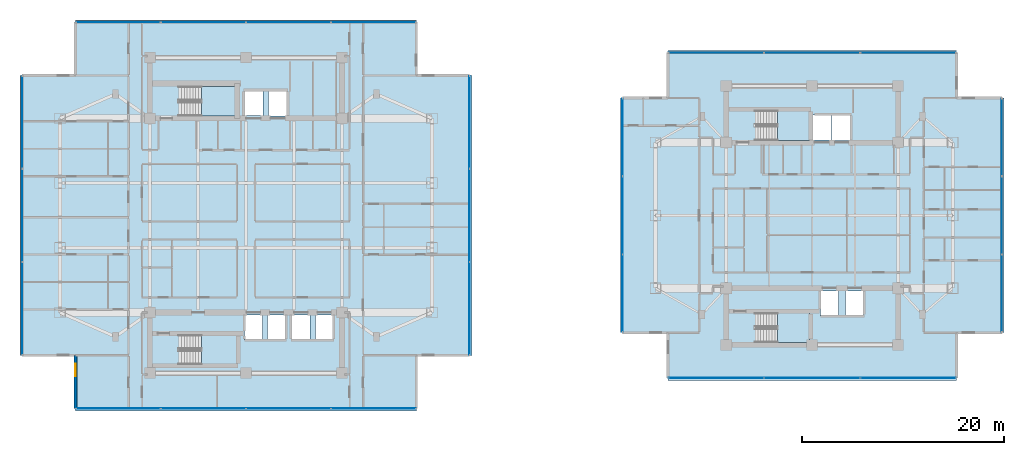
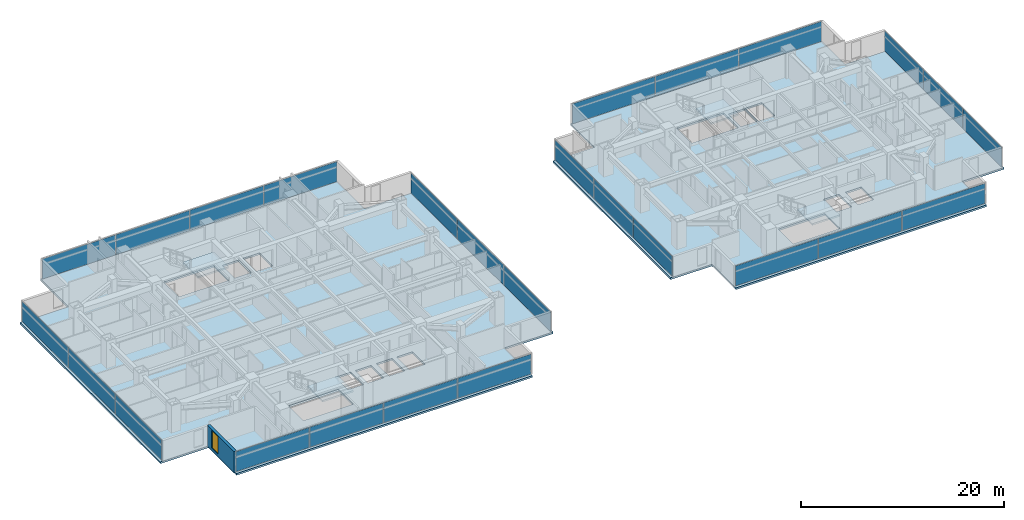
# One storey, part 12 of 24: 26 plates, 6 slabs, 1 wall, 1 window, 1 opening, 12 elements without a shape of their own.
"""IFC4 building model written with IfcOpenShell, lengths in metres."""

from ifc_helpers import new_model, si_unit, direction, frame, frame_2d, origin, origin_2d, place, context, subcontext, project, spatial, polyline, rectangle, outline, extrude, material, layer, layer_set, type_object, element, fill, aggregate, save


model = new_model("IFC4")

# Units and contexts
model_context = context("Model", 3, precision=1e-05, world=origin(), true_north=direction((0.0, 1.0)))
body_context = subcontext(model_context, "Body", "Model", "MODEL_VIEW")
ifc_project = project(units=[si_unit("LENGTHUNIT", "METRE"), si_unit("AREAUNIT", "SQUARE_METRE"), si_unit("VOLUMEUNIT", "CUBIC_METRE"), si_unit("PLANEANGLEUNIT", "RADIAN"), si_unit("MASSUNIT", "GRAM", prefix="KILO")], contexts=[model_context])

# Site, building, storey
site_placement = place(None, origin())
site = spatial("IfcSite", under=ifc_project, at=site_placement, CompositionType="ELEMENT")
building_placement = place(site_placement, origin())
building = spatial("IfcBuilding", under=site, at=building_placement, Name="Mirazonda Arch Towers", CompositionType="ELEMENT")
storey_placement = place(building_placement, frame((0.0, 0.0, 144.5)))
storey = spatial("IfcBuildingStorey", under=building, at=storey_placement, Name="L41", CompositionType="ELEMENT", Elevation=144.5)

# Curtain wall, plates
ifc_material_1 = material(Name="Anodised Aluminium and Low-E Glass", Category="aluminium")
curtain_wall_type = type_object("IfcCurtainWallType", Name="CW-HTL-UNIT", PredefinedType="NOTDEFINED", material=ifc_material_1)
curtain_wall_1_placement = place(storey_placement, origin())
curtain_wall_1 = element("IfcCurtainWall", 1, at=curtain_wall_1_placement, inside=storey, type_object=curtain_wall_type, Name="L41 T1 S Facade CW-L41-T1-S", PredefinedType="NOTDEFINED")
ifc_material_2 = material(Name="Insulated Low-E Solar Glass", Category="glass")
ifc_layer_1 = layer(ifc_material_2, 0.035888671875, Name="PAN-CW-HTL-UNIT")
ifc_layer_set_1 = layer_set([ifc_layer_1], Name="Insulated Low-E Solar Glass")
plate_type = type_object("IfcPlateType", Name="PAN-CW-HTL-UNIT", PredefinedType="CURTAIN_PANEL", material=ifc_layer_set_1)
plate_1_placement = place(storey_placement, frame((33.11865234375, 8.89599609375, 0.0751953125), z_axis=(0.0, 0.0, 1.0), x_axis=(-1.0, 0.0, 0.0)))
plate_1 = element("IfcPlate", 2, at=plate_1_placement, type_object=plate_type, Name="CW-112 panel 1.1", PredefinedType="CURTAIN_PANEL", context=body_context, shape_type="SweptSolid", body=[
    extrude(rectangle(XDim=8.3125, YDim=0.035888671875, at=origin_2d()), origin(), (0.0, 0.0, 1.0), 2.409912109375),
])
plate_2_placement = place(storey_placement, frame((24.71240234375, 8.89599609375, 0.0751953125), z_axis=(0.0, 0.0, 1.0), x_axis=(-1.0, 0.0, 0.0)))
plate_2 = element("IfcPlate", 3, at=plate_2_placement, type_object=plate_type, Name="CW-112 panel 2.1", PredefinedType="CURTAIN_PANEL", context=body_context, shape_type="SweptSolid", body=[
    extrude(rectangle(XDim=8.35009765625, YDim=0.035888671875, at=origin_2d()), origin(), (0.0, 0.0, 1.0), 2.409912109375),
])
plate_3_placement = place(storey_placement, frame((16.28759765625, 8.89599609375, 0.0751953125), z_axis=(0.0, 0.0, 1.0), x_axis=(-1.0, 0.0, 0.0)))
plate_3 = element("IfcPlate", 4, at=plate_3_placement, type_object=plate_type, Name="CW-112 panel 3.1", PredefinedType="CURTAIN_PANEL", context=body_context, shape_type="SweptSolid", body=[
    extrude(rectangle(XDim=8.35009765625, YDim=0.035888671875, at=origin_2d()), origin(), (0.0, 0.0, 1.0), 2.409912109375),
])
plate_4_placement = place(storey_placement, frame((7.88134765625, 8.89599609375, 0.0751953125), z_axis=(0.0, 0.0, 1.0), x_axis=(-1.0, 0.0, 0.0)))
plate_4 = element("IfcPlate", 5, at=plate_4_placement, type_object=plate_type, Name="CW-112 panel 4.1", PredefinedType="CURTAIN_PANEL", context=body_context, shape_type="SweptSolid", body=[
    extrude(rectangle(XDim=8.3125, YDim=0.035888671875, at=origin_2d()), origin(), (0.0, 0.0, 1.0), 2.409912109375),
])
aggregate(curtain_wall_1, [plate_1, plate_2, plate_3, plate_4])

curtain_wall_2_placement = place(storey_placement, origin())
curtain_wall_2 = element("IfcCurtainWall", 6, at=curtain_wall_2_placement, inside=storey, type_object=curtain_wall_type, Name="L41 T1 E Facade CW-L41-T1-E", PredefinedType="NOTDEFINED")
plate_5_placement = place(storey_placement, frame((42.6201171875, 18.796142578125, 0.0751953125), z_axis=(0.0, 0.0, 1.0), x_axis=(0.0, 1.0, 0.0)))
plate_5 = element("IfcPlate", 7, at=plate_5_placement, type_object=plate_type, Name="CW-112 panel 1.1", PredefinedType="CURTAIN_PANEL", context=body_context, shape_type="SweptSolid", body=[
    extrude(rectangle(XDim=9.110107421875, YDim=0.035888671875, at=origin_2d()), origin(), (0.0, 0.0, 1.0), 2.409912109375),
])
plate_6_placement = place(storey_placement, frame((42.6201171875, 28.0, 0.0751953125), z_axis=(0.0, 0.0, 1.0), x_axis=(0.0, 1.0, 0.0)))
plate_6 = element("IfcPlate", 8, at=plate_6_placement, type_object=plate_type, Name="CW-112 panel 2.1", PredefinedType="CURTAIN_PANEL", context=body_context, shape_type="SweptSolid", body=[
    extrude(rectangle(XDim=9.147705078125, YDim=0.035888671875, at=origin_2d()), origin(), (0.0, 0.0, 1.0), 2.409912109375),
])
plate_7_placement = place(storey_placement, frame((42.6201171875, 37.203857421875, 0.0751953125), z_axis=(0.0, 0.0, 1.0), x_axis=(0.0, 1.0, 0.0)))
plate_7 = element("IfcPlate", 9, at=plate_7_placement, type_object=plate_type, Name="CW-112 panel 3.1", PredefinedType="CURTAIN_PANEL", context=body_context, shape_type="SweptSolid", body=[
    extrude(rectangle(XDim=9.110107421875, YDim=0.035888671875, at=origin_2d()), origin(), (0.0, 0.0, 1.0), 2.409912109375),
])
aggregate(curtain_wall_2, [plate_5, plate_6, plate_7])

curtain_wall_3_placement = place(storey_placement, origin())
curtain_wall_3 = element("IfcCurtainWall", 10, at=curtain_wall_3_placement, inside=storey, type_object=curtain_wall_type, Name="L41 T1 N Facade CW-L41-T1-N", PredefinedType="NOTDEFINED")
plate_8_placement = place(storey_placement, frame((7.88134765625, 47.10400390625, 0.0751953125), z_axis=(0.0, 0.0, 1.0), x_axis=(1.0, 0.0, 0.0)))
plate_8 = element("IfcPlate", 11, at=plate_8_placement, type_object=plate_type, Name="CW-112 panel 1.1", PredefinedType="CURTAIN_PANEL", context=body_context, shape_type="SweptSolid", body=[
    extrude(rectangle(XDim=8.3125, YDim=0.035888671875, at=origin_2d()), origin(), (0.0, 0.0, 1.0), 2.409912109375),
])
plate_9_placement = place(storey_placement, frame((16.28759765625, 47.10400390625, 0.0751953125), z_axis=(0.0, 0.0, 1.0), x_axis=(1.0, 0.0, 0.0)))
plate_9 = element("IfcPlate", 12, at=plate_9_placement, type_object=plate_type, Name="CW-112 panel 2.1", PredefinedType="CURTAIN_PANEL", context=body_context, shape_type="SweptSolid", body=[
    extrude(rectangle(XDim=8.35009765625, YDim=0.035888671875, at=origin_2d()), origin(), (0.0, 0.0, 1.0), 2.409912109375),
])
plate_10_placement = place(storey_placement, frame((24.71240234375, 47.10400390625, 0.0751953125), z_axis=(0.0, 0.0, 1.0), x_axis=(1.0, 0.0, 0.0)))
plate_10 = element("IfcPlate", 13, at=plate_10_placement, type_object=plate_type, Name="CW-112 panel 3.1", PredefinedType="CURTAIN_PANEL", context=body_context, shape_type="SweptSolid", body=[
    extrude(rectangle(XDim=8.35009765625, YDim=0.035888671875, at=origin_2d()), origin(), (0.0, 0.0, 1.0), 2.409912109375),
])
plate_11_placement = place(storey_placement, frame((33.11865234375, 47.10400390625, 0.0751953125), z_axis=(0.0, 0.0, 1.0), x_axis=(1.0, 0.0, 0.0)))
plate_11 = element("IfcPlate", 14, at=plate_11_placement, type_object=plate_type, Name="CW-112 panel 4.1", PredefinedType="CURTAIN_PANEL", context=body_context, shape_type="SweptSolid", body=[
    extrude(rectangle(XDim=8.3125, YDim=0.035888671875, at=origin_2d()), origin(), (0.0, 0.0, 1.0), 2.409912109375),
])
aggregate(curtain_wall_3, [plate_8, plate_9, plate_10, plate_11])

curtain_wall_4_placement = place(storey_placement, origin())
curtain_wall_4 = element("IfcCurtainWall", 15, at=curtain_wall_4_placement, inside=storey, type_object=curtain_wall_type, Name="L41 T1 W Facade CW-L41-T1-W", PredefinedType="NOTDEFINED")
plate_12_placement = place(storey_placement, frame((-1.6201171875, 37.203857421875, 0.0751953125), z_axis=(0.0, 0.0, 1.0), x_axis=(0.0, -1.0, 0.0)))
plate_12 = element("IfcPlate", 16, at=plate_12_placement, type_object=plate_type, Name="CW-112 panel 1.1", PredefinedType="CURTAIN_PANEL", context=body_context, shape_type="SweptSolid", body=[
    extrude(rectangle(XDim=9.110107421875, YDim=0.035888671875, at=origin_2d()), origin(), (0.0, 0.0, 1.0), 2.409912109375),
])
plate_13_placement = place(storey_placement, frame((-1.6201171875, 28.0, 0.0751953125), z_axis=(0.0, 0.0, 1.0), x_axis=(0.0, -1.0, 0.0)))
plate_13 = element("IfcPlate", 17, at=plate_13_placement, type_object=plate_type, Name="CW-112 panel 2.1", PredefinedType="CURTAIN_PANEL", context=body_context, shape_type="SweptSolid", body=[
    extrude(rectangle(XDim=9.147705078125, YDim=0.035888671875, at=origin_2d()), origin(), (0.0, 0.0, 1.0), 2.409912109375),
])
plate_14_placement = place(storey_placement, frame((-1.6201171875, 18.796142578125, 0.0751953125), z_axis=(0.0, 0.0, 1.0), x_axis=(0.0, -1.0, 0.0)))
plate_14 = element("IfcPlate", 18, at=plate_14_placement, type_object=plate_type, Name="CW-112 panel 3.1", PredefinedType="CURTAIN_PANEL", context=body_context, shape_type="SweptSolid", body=[
    extrude(rectangle(XDim=9.110107421875, YDim=0.035888671875, at=origin_2d()), origin(), (0.0, 0.0, 1.0), 2.409912109375),
])
aggregate(curtain_wall_4, [plate_12, plate_13, plate_14])

curtain_wall_5_placement = place(storey_placement, origin())
curtain_wall_5 = element("IfcCurtainWall", 19, at=curtain_wall_5_placement, inside=storey, type_object=curtain_wall_type, Name="L41 T2 S Facade CW-L41-T2-S", PredefinedType="NOTDEFINED")
plate_15_placement = place(storey_placement, frame((85.989501953125, 11.91455078125, 0.0751953125), z_axis=(0.0, 0.0, 1.0), x_axis=(-1.0, 0.0, 0.0)))
plate_15 = element("IfcPlate", 20, at=plate_15_placement, type_object=plate_type, Name="CW-112 panel 1.1", PredefinedType="CURTAIN_PANEL", context=body_context, shape_type="SweptSolid", body=[
    extrude(rectangle(XDim=9.395751953125, YDim=0.035888671875, at=origin_2d()), origin(), (0.0, 0.0, 1.0), 2.409912109375),
])
plate_16_placement = place(storey_placement, frame((76.5, 11.91455078125, 0.0751953125), z_axis=(0.0, 0.0, 1.0), x_axis=(-1.0, 0.0, 0.0)))
plate_16 = element("IfcPlate", 21, at=plate_16_placement, type_object=plate_type, Name="CW-112 panel 2.1", PredefinedType="CURTAIN_PANEL", context=body_context, shape_type="SweptSolid", body=[
    extrude(rectangle(XDim=9.433349609375, YDim=0.035888671875, at=origin_2d()), origin(), (0.0, 0.0, 1.0), 2.409912109375),
])
plate_17_placement = place(storey_placement, frame((67.010498046875, 11.91455078125, 0.0751953125), z_axis=(0.0, 0.0, 1.0), x_axis=(-1.0, 0.0, 0.0)))
plate_17 = element("IfcPlate", 22, at=plate_17_placement, type_object=plate_type, Name="CW-112 panel 3.1", PredefinedType="CURTAIN_PANEL", context=body_context, shape_type="SweptSolid", body=[
    extrude(rectangle(XDim=9.395751953125, YDim=0.035888671875, at=origin_2d()), origin(), (0.0, 0.0, 1.0), 2.409912109375),
])
aggregate(curtain_wall_5, [plate_15, plate_16, plate_17])

curtain_wall_6_placement = place(storey_placement, origin())
curtain_wall_6 = element("IfcCurtainWall", 23, at=curtain_wall_6_placement, inside=storey, type_object=curtain_wall_type, Name="L41 T2 E Facade CW-L41-T2-E", PredefinedType="NOTDEFINED")
plate_18_placement = place(storey_placement, frame((95.2490234375, 20.2861328125, 0.0751953125), z_axis=(0.0, 0.0, 1.0), x_axis=(0.0, 1.0, 0.0)))
plate_18 = element("IfcPlate", 24, at=plate_18_placement, type_object=plate_type, Name="CW-112 panel 1.1", PredefinedType="CURTAIN_PANEL", context=body_context, shape_type="SweptSolid", body=[
    extrude(rectangle(XDim=7.6201171875, YDim=0.035888671875, at=origin_2d()), origin(), (0.0, 0.0, 1.0), 2.409912109375),
])
plate_19_placement = place(storey_placement, frame((95.2490234375, 28.0, 0.0751953125), z_axis=(0.0, 0.0, 1.0), x_axis=(0.0, 1.0, 0.0)))
plate_19 = element("IfcPlate", 25, at=plate_19_placement, type_object=plate_type, Name="CW-112 panel 2.1", PredefinedType="CURTAIN_PANEL", context=body_context, shape_type="SweptSolid", body=[
    extrude(rectangle(XDim=7.65771484375, YDim=0.035888671875, at=origin_2d()), origin(), (0.0, 0.0, 1.0), 2.409912109375),
])
plate_20_placement = place(storey_placement, frame((95.2490234375, 35.7138671875, 0.0751953125), z_axis=(0.0, 0.0, 1.0), x_axis=(0.0, 1.0, 0.0)))
plate_20 = element("IfcPlate", 26, at=plate_20_placement, type_object=plate_type, Name="CW-112 panel 3.1", PredefinedType="CURTAIN_PANEL", context=body_context, shape_type="SweptSolid", body=[
    extrude(rectangle(XDim=7.6201171875, YDim=0.035888671875, at=origin_2d()), origin(), (0.0, 0.0, 1.0), 2.409912109375),
])
aggregate(curtain_wall_6, [plate_18, plate_19, plate_20])

curtain_wall_7_placement = place(storey_placement, origin())
curtain_wall_7 = element("IfcCurtainWall", 27, at=curtain_wall_7_placement, inside=storey, type_object=curtain_wall_type, Name="L41 T2 N Facade CW-L41-T2-N", PredefinedType="NOTDEFINED")
plate_21_placement = place(storey_placement, frame((67.010498046875, 44.08544921875, 0.0751953125), z_axis=(0.0, 0.0, 1.0), x_axis=(1.0, 0.0, 0.0)))
plate_21 = element("IfcPlate", 28, at=plate_21_placement, type_object=plate_type, Name="CW-112 panel 1.1", PredefinedType="CURTAIN_PANEL", context=body_context, shape_type="SweptSolid", body=[
    extrude(rectangle(XDim=9.395751953125, YDim=0.035888671875, at=origin_2d()), origin(), (0.0, 0.0, 1.0), 2.409912109375),
])
plate_22_placement = place(storey_placement, frame((76.5, 44.08544921875, 0.0751953125), z_axis=(0.0, 0.0, 1.0), x_axis=(1.0, 0.0, 0.0)))
plate_22 = element("IfcPlate", 29, at=plate_22_placement, type_object=plate_type, Name="CW-112 panel 2.1", PredefinedType="CURTAIN_PANEL", context=body_context, shape_type="SweptSolid", body=[
    extrude(rectangle(XDim=9.433349609375, YDim=0.035888671875, at=origin_2d()), origin(), (0.0, 0.0, 1.0), 2.409912109375),
])
plate_23_placement = place(storey_placement, frame((85.989501953125, 44.08544921875, 0.0751953125), z_axis=(0.0, 0.0, 1.0), x_axis=(1.0, 0.0, 0.0)))
plate_23 = element("IfcPlate", 30, at=plate_23_placement, type_object=plate_type, Name="CW-112 panel 3.1", PredefinedType="CURTAIN_PANEL", context=body_context, shape_type="SweptSolid", body=[
    extrude(rectangle(XDim=9.395751953125, YDim=0.035888671875, at=origin_2d()), origin(), (0.0, 0.0, 1.0), 2.409912109375),
])
aggregate(curtain_wall_7, [plate_21, plate_22, plate_23])

curtain_wall_8_placement = place(storey_placement, origin())
curtain_wall_8 = element("IfcCurtainWall", 31, at=curtain_wall_8_placement, inside=storey, type_object=curtain_wall_type, Name="L41 T2 W Facade CW-L41-T2-W", PredefinedType="NOTDEFINED")
plate_24_placement = place(storey_placement, frame((57.7509765625, 35.7138671875, 0.0751953125), z_axis=(0.0, 0.0, 1.0), x_axis=(0.0, -1.0, 0.0)))
plate_24 = element("IfcPlate", 32, at=plate_24_placement, type_object=plate_type, Name="CW-112 panel 1.1", PredefinedType="CURTAIN_PANEL", context=body_context, shape_type="SweptSolid", body=[
    extrude(rectangle(XDim=7.6201171875, YDim=0.035888671875, at=origin_2d()), origin(), (0.0, 0.0, 1.0), 2.409912109375),
])
plate_25_placement = place(storey_placement, frame((57.7509765625, 28.0, 0.0751953125), z_axis=(0.0, 0.0, 1.0), x_axis=(0.0, -1.0, 0.0)))
plate_25 = element("IfcPlate", 33, at=plate_25_placement, type_object=plate_type, Name="CW-112 panel 2.1", PredefinedType="CURTAIN_PANEL", context=body_context, shape_type="SweptSolid", body=[
    extrude(rectangle(XDim=7.65771484375, YDim=0.035888671875, at=origin_2d()), origin(), (0.0, 0.0, 1.0), 2.409912109375),
])
plate_26_placement = place(storey_placement, frame((57.7509765625, 20.2861328125, 0.0751953125), z_axis=(0.0, 0.0, 1.0), x_axis=(0.0, -1.0, 0.0)))
plate_26 = element("IfcPlate", 34, at=plate_26_placement, type_object=plate_type, Name="CW-112 panel 3.1", PredefinedType="CURTAIN_PANEL", context=body_context, shape_type="SweptSolid", body=[
    extrude(rectangle(XDim=7.6201171875, YDim=0.035888671875, at=origin_2d()), origin(), (0.0, 0.0, 1.0), 2.409912109375),
])
aggregate(curtain_wall_8, [plate_24, plate_25, plate_26])

# Stair, slab
ifc_material_3 = material(Name="Concrete C40/50", Category="concrete")
stair_type = type_object("IfcStairType", Name="STAIR-CORE-1400", PredefinedType="HALF_TURN_STAIR", material=ifc_material_3)
stair_1_placement = place(storey_placement, origin())
stair_1 = element("IfcStair", 35, at=stair_1_placement, inside=storey, type_object=stair_type, Name="L41 Protected Exit Stair ST-T1N", PredefinedType="HALF_TURN_STAIR")
ifc_layer_2 = layer(ifc_material_3, 0.18994140625, Name="SLAB-LANDING-190")
ifc_layer_set_2 = layer_set([ifc_layer_2], Name="Concrete C40/50")
slab_type_1 = type_object("IfcSlabType", Name="SLAB-LANDING-190", PredefinedType="LANDING", material=ifc_layer_set_2)
slab_1_placement = place(storey_placement, frame((0.0, 0.0, 1.449951171875)))
slab_1 = element("IfcSlab", 36, at=slab_1_placement, type_object=slab_type_1, Name="ST-T1N landing 1", PredefinedType="LANDING", context=body_context, shape_type="SweptSolid", body=[
    extrude(outline(polyline([(16.090087890625, 37.820068359375), (19.60009765625, 37.820068359375), (19.60009765625, 40.760009765625), (16.090087890625, 40.760009765625), (16.090087890625, 37.820068359375)])), origin(), (0.0, 0.0, 1.0), 0.199951171875),
])
aggregate(stair_1, [slab_1])

stair_2_placement = place(storey_placement, origin())
stair_2 = element("IfcStair", 37, at=stair_2_placement, inside=storey, type_object=stair_type, Name="L41 Protected Exit Stair ST-T1S", PredefinedType="HALF_TURN_STAIR")
slab_2_placement = place(storey_placement, frame((0.0, 0.0, 1.449951171875)))
slab_2 = element("IfcSlab", 38, at=slab_2_placement, type_object=slab_type_1, Name="ST-T1S landing 1", PredefinedType="LANDING", context=body_context, shape_type="SweptSolid", body=[
    extrude(outline(polyline([(16.090087890625, 13.25), (19.60009765625, 13.25), (19.60009765625, 16.18994140625), (16.090087890625, 16.18994140625), (16.090087890625, 13.25)])), origin(), (0.0, 0.0, 1.0), 0.199951171875),
])
aggregate(stair_2, [slab_2])

stair_3_placement = place(storey_placement, origin())
stair_3 = element("IfcStair", 39, at=stair_3_placement, inside=storey, type_object=stair_type, Name="L41 Protected Exit Stair ST-T2N", PredefinedType="HALF_TURN_STAIR")
slab_3_placement = place(storey_placement, frame((0.0, 0.0, 1.449951171875)))
slab_3 = element("IfcSlab", 40, at=slab_3_placement, type_object=slab_type_1, Name="ST-T2N landing 1", PredefinedType="LANDING", context=body_context, shape_type="SweptSolid", body=[
    extrude(outline(polyline([(73.090087890625, 35.419921875), (76.22998046875, 35.419921875), (76.22998046875, 38.360107421875), (73.090087890625, 38.360107421875), (73.090087890625, 35.419921875)])), origin(), (0.0, 0.0, 1.0), 0.199951171875),
])
aggregate(stair_3, [slab_3])

stair_4_placement = place(storey_placement, origin())
stair_4 = element("IfcStair", 41, at=stair_4_placement, inside=storey, type_object=stair_type, Name="L41 Protected Exit Stair ST-T2S", PredefinedType="HALF_TURN_STAIR")
slab_4_placement = place(storey_placement, frame((0.0, 0.0, 1.449951171875)))
slab_4 = element("IfcSlab", 42, at=slab_4_placement, type_object=slab_type_1, Name="ST-T2S landing 1", PredefinedType="LANDING", context=body_context, shape_type="SweptSolid", body=[
    extrude(outline(polyline([(73.090087890625, 15.419921875), (76.22998046875, 15.419921875), (76.22998046875, 18.360107421875), (73.090087890625, 18.360107421875), (73.090087890625, 15.419921875)])), origin(), (0.0, 0.0, 1.0), 0.199951171875),
])
aggregate(stair_4, [slab_4])

# Slabs
ifc_layer_3 = layer(ifc_material_3, 0.219970703125, Name="SLAB-TWR-220")
ifc_layer_set_3 = layer_set([ifc_layer_3], Name="Concrete C40/50")
slab_type_2 = type_object("IfcSlabType", Name="SLAB-TWR-220", PredefinedType="FLOOR", material=ifc_layer_set_3)
slab_5_placement = place(storey_placement, frame((0.0, 0.0, -0.219970703125)))
element("IfcSlab", 43, at=slab_5_placement, inside=storey, type_object=slab_type_2, Name="L41 Tower 1 Floor Slab", PredefinedType="FLOOR", context=body_context, shape_type="SweptSolid", body=[
    extrude(outline(polyline([(3.64990234375, 8.676025390625), (37.35009765625, 8.676025390625), (37.35009765625, 14.166015625), (42.840087890625, 14.166015625), (42.840087890625, 41.833984375), (37.35009765625, 41.833984375), (37.35009765625, 47.323974609375), (3.64990234375, 47.323974609375), (3.64990234375, 41.833984375), (-1.840087890625, 41.833984375), (-1.840087890625, 14.166015625), (3.64990234375, 14.166015625), (3.64990234375, 8.676025390625)]), holes=[polyline([(27.360107421875, 18.139892578125), (29.139892578125, 18.139892578125), (29.139892578125, 15.659912109375), (27.360107421875, 15.659912109375), (27.360107421875, 18.139892578125)]), polyline([(25.06005859375, 18.139892578125), (26.840087890625, 18.139892578125), (26.840087890625, 15.659912109375), (25.06005859375, 15.659912109375), (25.06005859375, 18.139892578125)]), polyline([(22.7099609375, 40.389892578125), (24.590087890625, 40.389892578125), (24.590087890625, 37.81005859375), (22.7099609375, 37.81005859375), (22.7099609375, 40.389892578125)]), polyline([(22.659912109375, 18.139892578125), (24.43994140625, 18.139892578125), (24.43994140625, 15.659912109375), (22.659912109375, 15.659912109375), (22.659912109375, 18.139892578125)]), polyline([(20.31005859375, 40.340087890625), (22.18994140625, 40.340087890625), (22.18994140625, 37.860107421875), (20.31005859375, 37.860107421875), (20.31005859375, 40.340087890625)]), polyline([(20.360107421875, 18.139892578125), (22.139892578125, 18.139892578125), (22.139892578125, 15.659912109375), (20.360107421875, 15.659912109375), (20.360107421875, 18.139892578125)]), polyline([(13.925048828125, 13.25), (13.925048828125, 16.18994140625), (19.60009765625, 16.18994140625), (19.60009765625, 13.25), (13.925048828125, 13.25)]), polyline([(13.925048828125, 37.820068359375), (13.925048828125, 40.760009765625), (19.60009765625, 40.760009765625), (19.60009765625, 37.820068359375), (13.925048828125, 37.820068359375)])]), origin(), (0.0, 0.0, 1.0), 0.219970703125),
])
slab_6_placement = place(storey_placement, frame((0.0, 0.0, -0.219970703125)))
element("IfcSlab", 44, at=slab_6_placement, inside=storey, type_object=slab_type_2, Name="L41 Tower 2 Floor Slab", PredefinedType="FLOOR", context=body_context, shape_type="SweptSolid", body=[
    extrude(outline(polyline([(62.237548828125, 11.694580078125), (90.762451171875, 11.694580078125), (90.762451171875, 16.401123046875), (95.468994140625, 16.401123046875), (95.468994140625, 39.598876953125), (90.762451171875, 39.598876953125), (90.762451171875, 44.305419921875), (62.237548828125, 44.305419921875), (62.237548828125, 39.598876953125), (57.531005859375, 39.598876953125), (57.531005859375, 16.401123046875), (62.237548828125, 16.401123046875), (62.237548828125, 11.694580078125)]), holes=[polyline([(79.81005859375, 20.5400390625), (81.590087890625, 20.5400390625), (81.590087890625, 18.06005859375), (79.81005859375, 18.06005859375), (79.81005859375, 20.5400390625)]), polyline([(78.47998046875, 37.989990234375), (80.360107421875, 37.989990234375), (80.360107421875, 35.409912109375), (78.47998046875, 35.409912109375), (78.47998046875, 37.989990234375)]), polyline([(77.31005859375, 20.5400390625), (79.090087890625, 20.5400390625), (79.090087890625, 18.06005859375), (77.31005859375, 18.06005859375), (77.31005859375, 20.5400390625)]), polyline([(76.510009765625, 35.4599609375), (76.510009765625, 37.93994140625), (78.389892578125, 37.93994140625), (78.389892578125, 35.4599609375), (76.510009765625, 35.4599609375)]), polyline([(76.22998046875, 15.419921875), (70.925048828125, 15.419921875), (70.925048828125, 18.360107421875), (76.22998046875, 18.360107421875), (76.22998046875, 15.419921875)]), polyline([(70.925048828125, 35.419921875), (70.925048828125, 38.360107421875), (76.22998046875, 38.360107421875), (76.22998046875, 35.419921875), (70.925048828125, 35.419921875)])]), origin(), (0.0, 0.0, 1.0), 0.219970703125),
])

# Wall, opening, window
ifc_material_4 = material(Name="Precast Concrete C40/50", Category="concrete")
ifc_layer_4 = layer(ifc_material_4, 0.280029296875, Name="WALL-EXT-WALL-280")
ifc_layer_set_4 = layer_set([ifc_layer_4], Name="Precast Concrete C40/50")
wall_type = type_object("IfcWallType", Name="WALL-EXT-WALL-280", PredefinedType="SOLIDWALL", material=ifc_layer_set_4)
wall_placement = place(storey_placement, frame((3.64990234375, 14.166015625, 0.0), z_axis=(0.0, 0.0, 1.0), x_axis=(0.0, -1.0, 0.0)))
wall = element("IfcWall", 45, at=wall_placement, inside=storey, type_object=wall_type, Name="L41 T1 Notched SW Corner Wall WL-L41-T1-CSW", PredefinedType="SOLIDWALL", context=body_context, shape_type="SweptSolid", body=[
    extrude(rectangle(XDim=5.27001953125, YDim=0.280029296875, at=frame_2d((2.635009765625, 0.0))), origin(), (0.0, 0.0, 1.0), 2.56005859375),
])
opening_placement = place(wall_placement, frame((0.85009765625, 0.0, 0.31005859375)))
opening = element("IfcOpeningElement", 46, at=opening_placement, cuts=wall, Name="Opening WN-122", PredefinedType="OPENING", context=body_context, shape_type="SweptSolid", body=[
    extrude(rectangle(XDim=1.199951171875, YDim=2.10009765625, at=frame_2d((0.60009765625, 1.050048828125))), frame((0.0, 0.14990234375, 0.0), z_axis=(0.0, -1.0, 0.0), x_axis=(1.0, 0.0, 0.0)), (0.0, 0.0, 1.0), 0.300048828125),
])
window_type = type_object("IfcWindowType", Name="WIN-HTL-1200x2100", PartitioningType="SINGLE_PANEL", PredefinedType="WINDOW", material=ifc_material_2)
window_placement = place(opening_placement, origin())
window = element("IfcWindow", 47, at=window_placement, inside=storey, type_object=window_type, Name="L41 Punched Facade Window WN-L41-T1-CSW", OverallHeight=2.10009765625, OverallWidth=1.199951171875, PartitioningType="SINGLE_PANEL", PredefinedType="WINDOW", context=body_context, shape_type="SweptSolid", body=[
    extrude(rectangle(XDim=1.199951171875, YDim=2.10009765625, at=frame_2d((0.60009765625, 1.050048828125))), frame((0.0, 0.030029296875, 0.0), z_axis=(0.0, -1.0, 0.0), x_axis=(1.0, 0.0, 0.0)), (0.0, 0.0, 1.0), 0.06005859375),
])
fill(opening, window)

save(model, "model.ifc")
